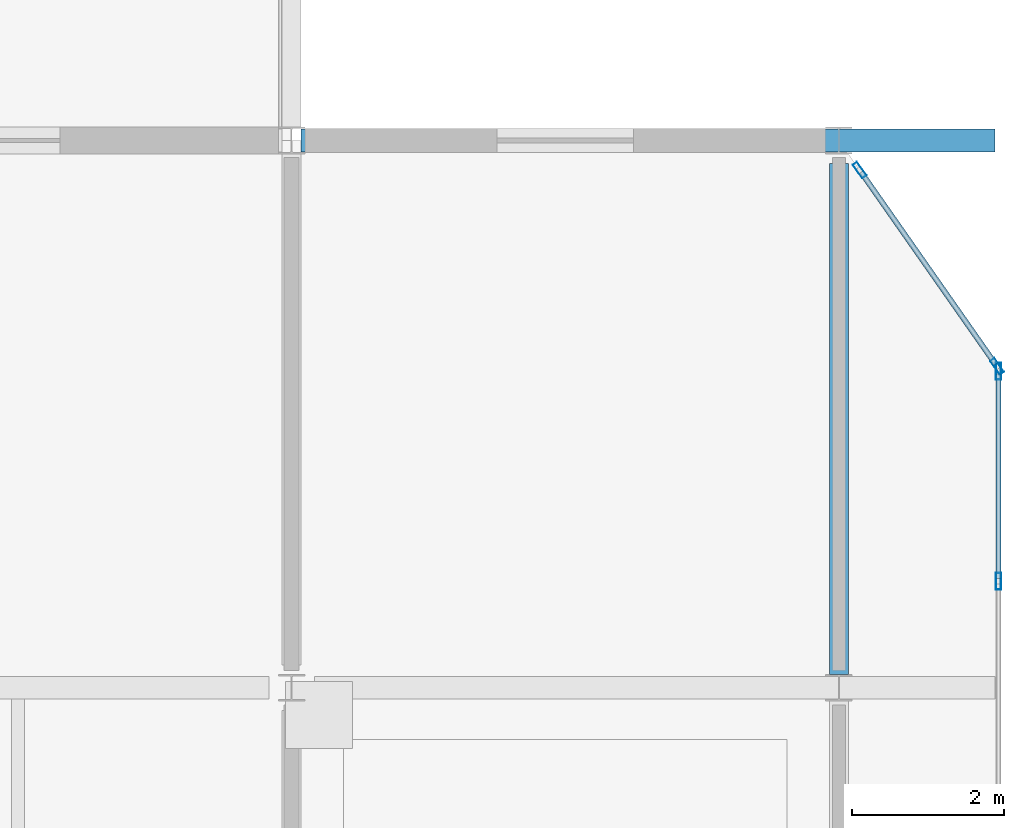
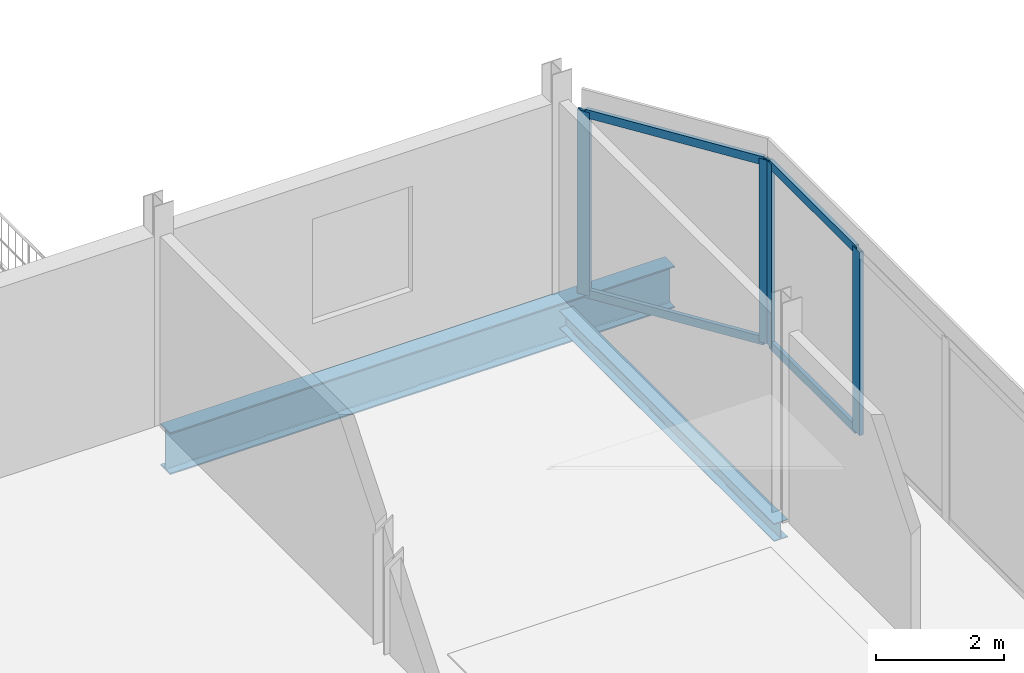
# One storey, part 16 of 26: 8 members, 2 beams, 2 elements without a shape of their own.
"""IFC4 building model written with IfcOpenShell, lengths in metres."""

from ifc_helpers import new_model, si_unit, direction, frame, origin, origin_2d, place, context, subcontext, project, spatial, hollow_rectangle, i_section, extrude, material, material_profile, profile_set, type_object, element, aggregate, save


model = new_model("IFC4")

# Units and contexts
model_context = context("Model", 3, precision=1e-05, world=origin(), true_north=direction((0.0, 1.0)))
body_context = subcontext(model_context, "Body", "Model", "MODEL_VIEW")
ifc_project = project(units=[si_unit("LENGTHUNIT", "METRE"), si_unit("AREAUNIT", "SQUARE_METRE"), si_unit("VOLUMEUNIT", "CUBIC_METRE"), si_unit("PLANEANGLEUNIT", "RADIAN"), si_unit("MASSUNIT", "GRAM", prefix="KILO")], contexts=[model_context])

# Site, building, storey
site_placement = place(None, origin())
site = spatial("IfcSite", under=ifc_project, at=site_placement, CompositionType="ELEMENT")
building_placement = place(site_placement, origin())
building = spatial("IfcBuilding", under=site, at=building_placement, Name="Vesperath Aquatics Centre", CompositionType="ELEMENT")
storey_placement = place(building_placement, frame((0.0, 0.0, 19.199951171875)))
storey = spatial("IfcBuildingStorey", under=building, at=storey_placement, Name="L04", CompositionType="ELEMENT", Elevation=19.199951171875)

# Beams
ifc_material_1 = material(Name="Steel Q355D", Category="steel")
ifc_material_profile_1 = material_profile(ifc_material_1, i_section(OverallWidth=0.300048828125, OverallDepth=0.800048828125, WebThickness=0.013916015625, FlangeThickness=0.02587890625, FilletRadius=0.028076171875, at=origin_2d()), Name="HN 800x300x14x26")
ifc_profile_set_1 = profile_set([ifc_material_profile_1], Name="Steel Q355D")
beam_type_1 = type_object("IfcBeamType", Name="BM-G07", PredefinedType="BEAM", material=ifc_profile_set_1)
beam_1_placement = place(storey_placement, frame((165.72509765625, 36.0, -0.639892578125), z_axis=(1.0, 0.0, 0.0), x_axis=(0.0, 1.0, 0.0)))
element("IfcBeam", 1, at=beam_1_placement, inside=storey, type_object=beam_type_1, Name="Floor Girder B07 L04 F 24-25", PredefinedType="BEAM", context=body_context, shape_type="SweptSolid", body=[
    extrude(i_section(OverallWidth=0.300048828125, OverallDepth=0.800048828125, WebThickness=0.013916015625, FlangeThickness=0.02587890625, FilletRadius=0.028076171875, at=origin_2d()), origin(), (0.0, 0.0, 1.0), 9.125),
])
ifc_material_2 = material(Name="Steel Q355C", Category="steel")
ifc_material_profile_2 = material_profile(ifc_material_2, i_section(OverallWidth=0.25, OverallDepth=0.340087890625, WebThickness=0.009033203125, FlangeThickness=0.013916015625, FilletRadius=0.02001953125, at=origin_2d()), Name="HM 340x250x9x14")
ifc_profile_set_2 = profile_set([ifc_material_profile_2], Name="Steel Q355C")
beam_type_2 = type_object("IfcBeamType", Name="BM-G12", PredefinedType="BEAM", material=ifc_profile_set_2)
beam_2_placement = place(storey_placement, frame((172.800048828125, 28.97509765625, -0.409912109375), z_axis=(0.0, 1.0, 0.0), x_axis=(-1.0, 0.0, 0.0)))
element("IfcBeam", 2, at=beam_2_placement, inside=storey, type_object=beam_type_2, Name="Floor Girder B12 L04 25 E-F", PredefinedType="BEAM", context=body_context, shape_type="SweptSolid", body=[
    extrude(i_section(OverallWidth=0.25, OverallDepth=0.340087890625, WebThickness=0.009033203125, FlangeThickness=0.013916015625, FilletRadius=0.02001953125, at=origin_2d()), origin(), (0.0, 0.0, 1.0), 6.724853515625),
])

# Curtain wall, members
ifc_material_3 = material(Name="Thermally broken anodised bronze aluminium curtain wall", Category="aluminium")
curtain_wall_type = type_object("IfcCurtainWallType", Name="CW-07", PredefinedType="NOTDEFINED", material=ifc_material_3)
curtain_wall_1_placement = place(storey_placement, origin())
curtain_wall_1 = element("IfcCurtainWall", 3, at=curtain_wall_1_placement, inside=storey, type_object=curtain_wall_type, Name="East Avenue Bow Oriel Curtain Wall L04-C", PredefinedType="NOTDEFINED")
ifc_material_4 = material(Name="Thermally broken anodised aluminium", Category="aluminium")
ifc_material_profile_3 = material_profile(ifc_material_4, hollow_rectangle(XDim=0.070068359375, YDim=0.219970703125, WallThickness=0.0048828125, at=origin_2d()), Name="CWM 70x220x5")
ifc_profile_set_3 = profile_set([ifc_material_profile_3], Name="Thermally broken anodised aluminium")
member_type_1 = type_object("IfcMemberType", Name="MB-CWM2", PredefinedType="MULLION", material=ifc_profile_set_3)
member_1_placement = place(storey_placement, frame((174.89990234375, 30.199951171875, 0.0), z_axis=(0.0, 0.0, 1.0), x_axis=(-1.0, 0.0, 0.0)))
member_1 = element("IfcMember", 4, at=member_1_placement, type_object=member_type_1, Name="CW07 mullion 3", PredefinedType="MULLION", context=body_context, shape_type="SweptSolid", body=[
    extrude(hollow_rectangle(XDim=0.070068359375, YDim=0.219970703125, WallThickness=0.0048828125, at=origin_2d()), origin(), (0.0, 0.0, 1.0), 3.510009765625),
])
member_2_placement = place(storey_placement, frame((174.89990234375, 32.965087890625, 0.0), z_axis=(0.0, 0.0, 1.0), x_axis=(-1.0, 0.0, 0.0)))
member_2 = element("IfcMember", 5, at=member_2_placement, type_object=member_type_1, Name="CW07 mullion 4", PredefinedType="MULLION", context=body_context, shape_type="SweptSolid", body=[
    extrude(hollow_rectangle(XDim=0.070068359375, YDim=0.219970703125, WallThickness=0.0048828125, at=origin_2d()), origin(), (0.0, 0.0, 1.0), 3.510009765625),
])

curtain_wall_2_placement = place(storey_placement, origin())
curtain_wall_2 = element("IfcCurtainWall", 6, at=curtain_wall_2_placement, inside=storey, type_object=curtain_wall_type, Name="East Avenue Bow Oriel Curtain Wall L04-N", PredefinedType="NOTDEFINED")
member_3_placement = place(storey_placement, frame((174.8798828125, 33.028564453125, 0.0), z_axis=(0.0, 0.0, 1.0), x_axis=(-0.819231920515, -0.57346234437, 0.0)))
member_3 = element("IfcMember", 7, at=member_3_placement, type_object=member_type_1, Name="CW07 mullion 1", PredefinedType="MULLION", context=body_context, shape_type="SweptSolid", body=[
    extrude(hollow_rectangle(XDim=0.070068359375, YDim=0.219970703125, WallThickness=0.0048828125, at=origin_2d()), origin(), (0.0, 0.0, 1.0), 3.510009765625),
])
member_4_placement = place(storey_placement, frame((173.072021484375, 35.611328125, 0.0), z_axis=(0.0, 0.0, 1.0), x_axis=(-0.819231920515, -0.57346234437, 0.0)))
member_4 = element("IfcMember", 8, at=member_4_placement, type_object=member_type_1, Name="CW07 mullion 2", PredefinedType="MULLION", context=body_context, shape_type="SweptSolid", body=[
    extrude(hollow_rectangle(XDim=0.070068359375, YDim=0.219970703125, WallThickness=0.0048828125, at=origin_2d()), origin(), (0.0, 0.0, 1.0), 3.510009765625),
])

# Member
ifc_material_profile_4 = material_profile(ifc_material_4, hollow_rectangle(XDim=0.070068359375, YDim=0.159912109375, WallThickness=0.0048828125, at=origin_2d()), Name="CWT 70x160x5")
ifc_profile_set_4 = profile_set([ifc_material_profile_4], Name="Thermally broken anodised aluminium")
member_type_2 = type_object("IfcMemberType", Name="MB-CWT2", PredefinedType="USERDEFINED", material=ifc_profile_set_4)
member_5_placement = place(storey_placement, frame((174.89990234375, 30.235107421875, 0.03515625), z_axis=(0.0, 1.0, 0.0), x_axis=(-1.0, 0.0, 0.0)))
member_5 = element("IfcMember", 9, at=member_5_placement, type_object=member_type_2, Name="CW07 transom 3.1", ObjectType="TRANSOM", PredefinedType="USERDEFINED", context=body_context, shape_type="SweptSolid", body=[
    extrude(hollow_rectangle(XDim=0.070068359375, YDim=0.159912109375, WallThickness=0.0048828125, at=origin_2d()), origin(), (0.0, 0.0, 1.0), 2.69482421875),
])

member_6_placement = place(storey_placement, frame((174.89990234375, 30.235107421875, 3.47509765625), z_axis=(0.0, 1.0, 0.0), x_axis=(-1.0, 0.0, 0.0)))
member_6 = element("IfcMember", 10, at=member_6_placement, type_object=member_type_2, Name="CW07 transom 3.2", ObjectType="TRANSOM", PredefinedType="USERDEFINED", context=body_context, shape_type="SweptSolid", body=[
    extrude(hollow_rectangle(XDim=0.070068359375, YDim=0.159912109375, WallThickness=0.0048828125, at=origin_2d()), origin(), (0.0, 0.0, 1.0), 2.69482421875),
])

aggregate(curtain_wall_1, [member_1, member_2, member_5, member_6])

member_7_placement = place(storey_placement, frame((174.85986328125, 33.057373046875, 0.03515625), z_axis=(-0.573472974924, 0.819224479024, 0.0), x_axis=(-0.819224479024, -0.573472974924, 0.0)))
member_7 = element("IfcMember", 11, at=member_7_placement, type_object=member_type_2, Name="CW07 transom 1.1", ObjectType="TRANSOM", PredefinedType="USERDEFINED", context=body_context, shape_type="SweptSolid", body=[
    extrude(hollow_rectangle(XDim=0.070068359375, YDim=0.159912109375, WallThickness=0.0048828125, at=origin_2d()), origin(), (0.0, 0.0, 1.0), 3.082763671875),
])

member_8_placement = place(storey_placement, frame((174.85986328125, 33.057373046875, 3.47509765625), z_axis=(-0.573472974924, 0.819224479024, 0.0), x_axis=(-0.819224479024, -0.573472974924, 0.0)))
member_8 = element("IfcMember", 12, at=member_8_placement, type_object=member_type_2, Name="CW07 transom 1.2", ObjectType="TRANSOM", PredefinedType="USERDEFINED", context=body_context, shape_type="SweptSolid", body=[
    extrude(hollow_rectangle(XDim=0.070068359375, YDim=0.159912109375, WallThickness=0.0048828125, at=origin_2d()), origin(), (0.0, 0.0, 1.0), 3.082763671875),
])

aggregate(curtain_wall_2, [member_3, member_4, member_7, member_8])

save(model, "model.ifc")
